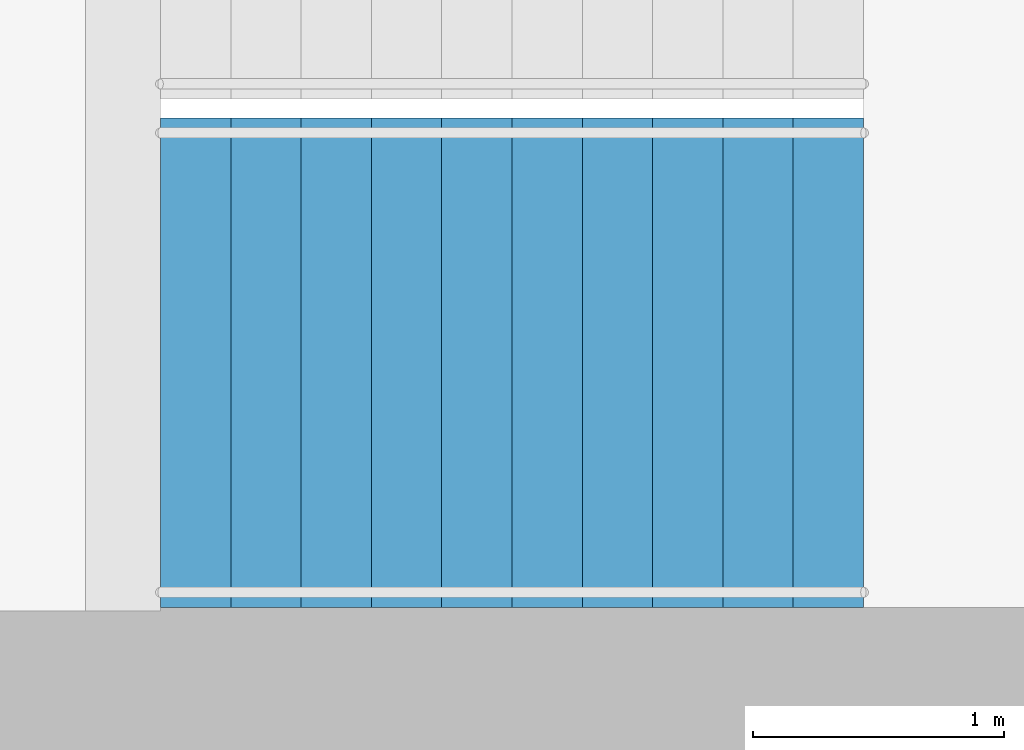
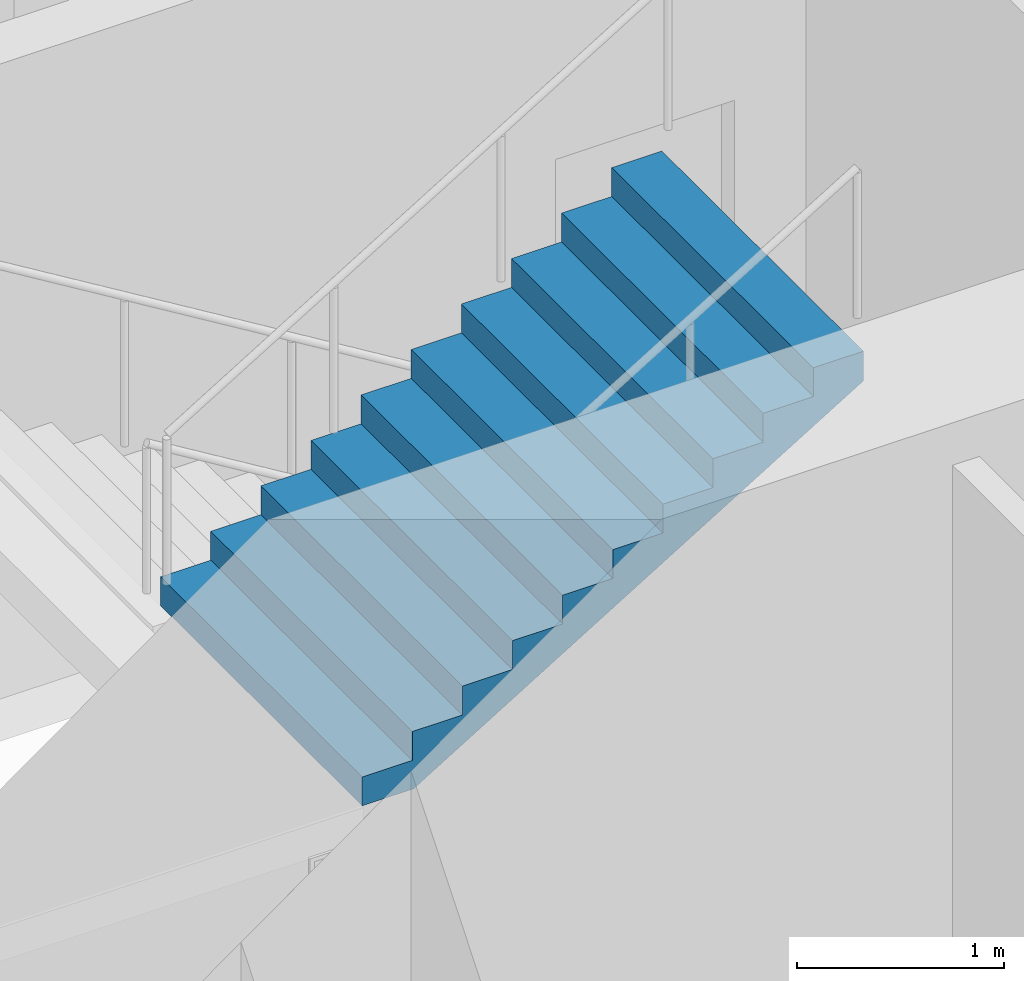
# One storey, part 19 of 21: 1 stair flight, 1 element without a shape of its own.
"""IFC4 building model written with IfcOpenShell, lengths in metres."""

from ifc_helpers import new_model, si_unit, direction, frame, origin, place, context, subcontext, project, spatial, triangles, material, type_object, element, aggregate, save


model = new_model("IFC4")

# Units and contexts
model_context = context("Model", 3, precision=1e-05, world=origin(), true_north=direction((0.0, 1.0)))
body_context = subcontext(model_context, "Body", "Model", "MODEL_VIEW")
ifc_project = project(units=[si_unit("LENGTHUNIT", "METRE"), si_unit("AREAUNIT", "SQUARE_METRE"), si_unit("VOLUMEUNIT", "CUBIC_METRE"), si_unit("PLANEANGLEUNIT", "RADIAN"), si_unit("MASSUNIT", "GRAM", prefix="KILO")], contexts=[model_context])

# Site, building, storey
site_placement = place(None, origin())
site = spatial("IfcSite", under=ifc_project, at=site_placement, CompositionType="ELEMENT")
building_placement = place(site_placement, origin())
building = spatial("IfcBuilding", under=site, at=building_placement, Name="Orbita Commons", CompositionType="ELEMENT")
storey_placement = place(building_placement, frame((0.0, 0.0, 88.14990234375)))
storey = spatial("IfcBuildingStorey", under=building, at=storey_placement, Name="L21", CompositionType="ELEMENT", Elevation=88.14990234375)

# Stair, stair flight
ifc_material_1 = material(Name="Precast concrete C40/50", Category="concrete")
stair_type = type_object("IfcStairType", Name="Exit stair S2 2 flights 11 risers 170", PredefinedType="HALF_TURN_STAIR", material=ifc_material_1)
stair_placement = place(storey_placement, origin())
stair = element("IfcStair", 1, at=stair_placement, inside=storey, type_object=stair_type, Name="Exit stair S2 L21", PredefinedType="HALF_TURN_STAIR")
ifc_material_2 = material(Name="Precast concrete C40/50", Category="concrete")
stair_flight_type = type_object("IfcStairFlightType", Name="Stair flight 11 risers 170 x 280", PredefinedType="STRAIGHT", material=ifc_material_2)
stair_flight_placement = place(storey_placement, frame((60.75, 27.25, 1.875), z_axis=(0.0, 0.0, 1.0), x_axis=(1.0, 0.0, 0.0)))
stair_flight = element("IfcStairFlight", 2, at=stair_flight_placement, type_object=stair_flight_type, Name="S2 flight 2", NumberOfRisers=11, NumberOfTreads=10, PredefinedType="STRAIGHT", RiserHeight=0.170454545, TreadLength=0.28, context=body_context, shape_type="Tessellation", body=[
    triangles([(0.0, 0.974976, 0.0), (0.0, 0.974976, 0.021307), (0.0, 0.81248, 0.021307), (0.0, 0.81248, 0.0), (0.0, 0.649984, 0.021307), (0.0, 0.649984, 0.0), (0.0, 0.487488, 0.021307), (0.0, 0.487488, 0.0), (0.0, 0.324992, 0.021307), (0.0, 0.324992, 0.0), (0.0, 0.162496, 0.021307), (0.0, 0.162496, 0.0), (0.0, 0.0, 0.021307), (0.0, 0.0, 0.0), (0.0, -0.162496, 0.021307), (0.0, -0.162496, 0.0), (0.0, -0.324992, 0.021307), (0.0, -0.324992, 0.0), (0.0, -0.487488, 0.021307), (0.0, -0.487488, 0.0), (0.0, -0.649984, 0.021307), (0.0, -0.649984, 0.0), (0.0, -0.81248, 0.021307), (0.0, -0.81248, 0.0), (0.0, -0.974976, 0.021307), (0.0, -0.974976, 0.0), (0.0, 0.974976, 0.042614), (0.0, 0.81248, 0.042614), (0.0, 0.649984, 0.042614), (0.0, 0.487488, 0.042614), (0.0, 0.324992, 0.042614), (0.0, 0.162496, 0.042614), (0.0, 0.0, 0.042614), (0.0, -0.162496, 0.042614), (0.0, -0.324992, 0.042614), (0.0, -0.487488, 0.042614), (0.0, -0.649984, 0.042614), (0.0, -0.81248, 0.042614), (0.0, -0.974976, 0.042614), (0.0, 0.974976, 0.06392), (0.0, 0.81248, 0.06392), (0.0, 0.649984, 0.06392), (0.0, 0.487488, 0.06392), (0.0, 0.324992, 0.06392), (0.0, 0.162496, 0.06392), (0.0, 0.0, 0.06392), (0.0, -0.162496, 0.06392), (0.0, -0.324992, 0.06392), (0.0, -0.487488, 0.06392), (0.0, -0.649984, 0.06392), (0.0, -0.81248, 0.06392), (0.0, -0.974976, 0.06392), (0.0, 0.974976, 0.085227), (0.0, 0.81248, 0.085227), (0.0, 0.649984, 0.085227), (0.0, 0.487488, 0.085227), (0.0, 0.324992, 0.085227), (0.0, 0.162496, 0.085227), (0.0, 0.0, 0.085227), (0.0, -0.162496, 0.085227), (0.0, -0.324992, 0.085227), (0.0, -0.487488, 0.085227), (0.0, -0.649984, 0.085227), (0.0, -0.81248, 0.085227), (0.0, -0.974976, 0.085227), (0.0, 0.974976, 0.106534), (0.0, 0.81248, 0.106534), (0.0, 0.649984, 0.106534), (0.0, 0.487488, 0.106534), (0.0, 0.324992, 0.106534), (0.0, 0.162496, 0.106534), (0.0, 0.0, 0.106534), (0.0, -0.162496, 0.106534), (0.0, -0.324992, 0.106534), (0.0, -0.487488, 0.106534), (0.0, -0.649984, 0.106534), (0.0, -0.81248, 0.106534), (0.0, -0.974976, 0.106534), (0.0, 0.974976, 0.127841), (0.0, 0.81248, 0.127841), (0.0, 0.649984, 0.127841), (0.0, 0.487488, 0.127841), (0.0, 0.324992, 0.127841), (0.0, 0.162496, 0.127841), (0.0, 0.0, 0.127841), (0.0, -0.162496, 0.127841), (0.0, -0.324992, 0.127841), (0.0, -0.487488, 0.127841), (0.0, -0.649984, 0.127841), (0.0, -0.81248, 0.127841), (0.0, -0.974976, 0.127841), (0.0, 0.974976, 0.149148), (0.0, 0.81248, 0.149148), (0.0, 0.649984, 0.149148), (0.0, 0.487488, 0.149148), (0.0, 0.324992, 0.149148), (0.0, 0.162496, 0.149148), (0.0, 0.0, 0.149148), (0.0, -0.162496, 0.149148), (0.0, -0.324992, 0.149148), (0.0, -0.487488, 0.149148), (0.0, -0.649984, 0.149148), (0.0, -0.81248, 0.149148), (0.0, -0.974976, 0.149148), (0.0, 0.974976, 0.170455), (0.0, 0.81248, 0.170455), (0.0, 0.649984, 0.170455), (0.0, 0.487488, 0.170455), (0.0, 0.324992, 0.170455), (0.0, 0.162496, 0.170455), (0.0, 0.0, 0.170455), (0.0, -0.162496, 0.170455), (0.0, -0.324992, 0.170455), (0.0, -0.487488, 0.170455), (0.0, -0.649984, 0.170455), (0.0, -0.81248, 0.170455), (0.0, -0.974976, 0.170455), (0.28, 0.974976, 0.170455), (0.28, 0.81248, 0.170455), (0.28, 0.649984, 0.170455), (0.28, 0.487488, 0.170455), (0.28, 0.324992, 0.170455), (0.28, 0.162496, 0.170455), (0.28, 0.0, 0.170455), (0.28, -0.162496, 0.170455), (0.28, -0.324992, 0.170455), (0.28, -0.487488, 0.170455), (0.28, -0.649984, 0.170455), (0.28, -0.81248, 0.170455), (0.28, -0.974976, 0.170455), (0.28, 0.974976, 0.340909), (0.28, 0.81248, 0.340909), (0.28, 0.649984, 0.340909), (0.28, 0.487488, 0.340909), (0.28, 0.324992, 0.340909), (0.28, 0.162496, 0.340909), (0.28, 0.0, 0.340909), (0.28, -0.162496, 0.340909), (0.28, -0.324992, 0.340909), (0.28, -0.487488, 0.340909), (0.28, -0.649984, 0.340909), (0.28, -0.81248, 0.340909), (0.28, -0.974976, 0.340909), (0.56, 0.974976, 0.340909), (0.56, 0.81248, 0.340909), (0.56, 0.649984, 0.340909), (0.56, 0.487488, 0.340909), (0.56, 0.324992, 0.340909), (0.56, 0.162496, 0.340909), (0.56, 0.0, 0.340909), (0.56, -0.162496, 0.340909), (0.56, -0.324992, 0.340909), (0.56, -0.487488, 0.340909), (0.56, -0.649984, 0.340909), (0.56, -0.81248, 0.340909), (0.56, -0.974976, 0.340909), (0.56, 0.974976, 0.511364), (0.56, 0.81248, 0.511364), (0.56, 0.649984, 0.511364), (0.56, 0.487488, 0.511364), (0.56, 0.324992, 0.511364), (0.56, 0.162496, 0.511364), (0.56, 0.0, 0.511364), (0.56, -0.162496, 0.511364), (0.56, -0.324992, 0.511364), (0.56, -0.487488, 0.511364), (0.56, -0.649984, 0.511364), (0.56, -0.81248, 0.511364), (0.56, -0.974976, 0.511364), (0.84, 0.974976, 0.511364), (0.84, 0.81248, 0.511364), (0.84, 0.649984, 0.511364), (0.84, 0.487488, 0.511364), (0.84, 0.324992, 0.511364), (0.84, 0.162496, 0.511364), (0.84, 0.0, 0.511364), (0.84, -0.162496, 0.511364), (0.84, -0.324992, 0.511364), (0.84, -0.487488, 0.511364), (0.84, -0.649984, 0.511364), (0.84, -0.81248, 0.511364), (0.84, -0.974976, 0.511364), (0.84, 0.974976, 0.681818), (0.84, 0.81248, 0.681818), (0.84, 0.649984, 0.681818), (0.84, 0.487488, 0.681818), (0.84, 0.324992, 0.681818), (0.84, 0.162496, 0.681818), (0.84, 0.0, 0.681818), (0.84, -0.162496, 0.681818), (0.84, -0.324992, 0.681818), (0.84, -0.487488, 0.681818), (0.84, -0.649984, 0.681818), (0.84, -0.81248, 0.681818), (0.84, -0.974976, 0.681818), (1.12, 0.974976, 0.681818), (1.12, 0.81248, 0.681818), (1.12, 0.649984, 0.681818), (1.12, 0.487488, 0.681818), (1.12, 0.324992, 0.681818), (1.12, 0.162496, 0.681818), (1.12, 0.0, 0.681818), (1.12, -0.162496, 0.681818), (1.12, -0.324992, 0.681818), (1.12, -0.487488, 0.681818), (1.12, -0.649984, 0.681818), (1.12, -0.81248, 0.681818), (1.12, -0.974976, 0.681818), (1.12, 0.974976, 0.852273), (1.12, 0.81248, 0.852273), (1.12, 0.649984, 0.852273), (1.12, 0.487488, 0.852273), (1.12, 0.324992, 0.852273), (1.12, 0.162496, 0.852273), (1.12, 0.0, 0.852273), (1.12, -0.162496, 0.852273), (1.12, -0.324992, 0.852273), (1.12, -0.487488, 0.852273), (1.12, -0.649984, 0.852273), (1.12, -0.81248, 0.852273), (1.12, -0.974976, 0.852273), (1.4, 0.974976, 0.852273), (1.4, 0.81248, 0.852273), (1.4, 0.649984, 0.852273), (1.4, 0.487488, 0.852273), (1.4, 0.324992, 0.852273), (1.4, 0.162496, 0.852273), (1.4, 0.0, 0.852273), (1.4, -0.162496, 0.852273), (1.4, -0.324992, 0.852273), (1.4, -0.487488, 0.852273), (1.4, -0.649984, 0.852273), (1.4, -0.81248, 0.852273), (1.4, -0.974976, 0.852273), (1.4, 0.974976, 1.022727), (1.4, 0.81248, 1.022727), (1.4, 0.649984, 1.022727), (1.4, 0.487488, 1.022727), (1.4, 0.324992, 1.022727), (1.4, 0.162496, 1.022727), (1.4, 0.0, 1.022727), (1.4, -0.162496, 1.022727), (1.4, -0.324992, 1.022727), (1.4, -0.487488, 1.022727), (1.4, -0.649984, 1.022727), (1.4, -0.81248, 1.022727), (1.4, -0.974976, 1.022727), (1.68, 0.974976, 1.022727), (1.68, 0.81248, 1.022727), (1.68, 0.649984, 1.022727), (1.68, 0.487488, 1.022727), (1.68, 0.324992, 1.022727), (1.68, 0.162496, 1.022727), (1.68, 0.0, 1.022727), (1.68, -0.162496, 1.022727), (1.68, -0.324992, 1.022727), (1.68, -0.487488, 1.022727), (1.68, -0.649984, 1.022727), (1.68, -0.81248, 1.022727), (1.68, -0.974976, 1.022727), (1.68, 0.974976, 1.193182), (1.68, 0.81248, 1.193182), (1.68, 0.649984, 1.193182), (1.68, 0.487488, 1.193182), (1.68, 0.324992, 1.193182), (1.68, 0.162496, 1.193182), (1.68, 0.0, 1.193182), (1.68, -0.162496, 1.193182), (1.68, -0.324992, 1.193182), (1.68, -0.487488, 1.193182), (1.68, -0.649984, 1.193182), (1.68, -0.81248, 1.193182), (1.68, -0.974976, 1.193182), (1.96, 0.974976, 1.193182), (1.96, 0.81248, 1.193182), (1.96, 0.649984, 1.193182), (1.96, 0.487488, 1.193182), (1.96, 0.324992, 1.193182), (1.96, 0.162496, 1.193182), (1.96, 0.0, 1.193182), (1.96, -0.162496, 1.193182), (1.96, -0.324992, 1.193182), (1.96, -0.487488, 1.193182), (1.96, -0.649984, 1.193182), (1.96, -0.81248, 1.193182), (1.96, -0.974976, 1.193182), (1.96, 0.974976, 1.363636), (1.96, 0.81248, 1.363636), (1.96, 0.649984, 1.363636), (1.96, 0.487488, 1.363636), (1.96, 0.324992, 1.363636), (1.96, 0.162496, 1.363636), (1.96, 0.0, 1.363636), (1.96, -0.162496, 1.363636), (1.96, -0.324992, 1.363636), (1.96, -0.487488, 1.363636), (1.96, -0.649984, 1.363636), (1.96, -0.81248, 1.363636), (1.96, -0.974976, 1.363636), (2.24, 0.974976, 1.363636), (2.24, 0.81248, 1.363636), (2.24, 0.649984, 1.363636), (2.24, 0.487488, 1.363636), (2.24, 0.324992, 1.363636), (2.24, 0.162496, 1.363636), (2.24, 0.0, 1.363636), (2.24, -0.162496, 1.363636), (2.24, -0.324992, 1.363636), (2.24, -0.487488, 1.363636), (2.24, -0.649984, 1.363636), (2.24, -0.81248, 1.363636), (2.24, -0.974976, 1.363636), (2.24, 0.974976, 1.534091), (2.24, 0.81248, 1.534091), (2.24, 0.649984, 1.534091), (2.24, 0.487488, 1.534091), (2.24, 0.324992, 1.534091), (2.24, 0.162496, 1.534091), (2.24, 0.0, 1.534091), (2.24, -0.162496, 1.534091), (2.24, -0.324992, 1.534091), (2.24, -0.487488, 1.534091), (2.24, -0.649984, 1.534091), (2.24, -0.81248, 1.534091), (2.24, -0.974976, 1.534091), (2.52, 0.974976, 1.534091), (2.52, 0.81248, 1.534091), (2.52, 0.649984, 1.534091), (2.52, 0.487488, 1.534091), (2.52, 0.324992, 1.534091), (2.52, 0.162496, 1.534091), (2.52, 0.0, 1.534091), (2.52, -0.162496, 1.534091), (2.52, -0.324992, 1.534091), (2.52, -0.487488, 1.534091), (2.52, -0.649984, 1.534091), (2.52, -0.81248, 1.534091), (2.52, -0.974976, 1.534091), (2.52, 0.974976, 1.704545), (2.52, 0.81248, 1.704545), (2.52, 0.649984, 1.704545), (2.52, 0.487488, 1.704545), (2.52, 0.324992, 1.704545), (2.52, 0.162496, 1.704545), (2.52, 0.0, 1.704545), (2.52, -0.162496, 1.704545), (2.52, -0.324992, 1.704545), (2.52, -0.487488, 1.704545), (2.52, -0.649984, 1.704545), (2.52, -0.81248, 1.704545), (2.52, -0.974976, 1.704545), (2.8, 0.974976, 1.704545), (2.8, 0.81248, 1.704545), (2.8, 0.649984, 1.704545), (2.8, 0.487488, 1.704545), (2.8, 0.324992, 1.704545), (2.8, 0.162496, 1.704545), (2.8, 0.0, 1.704545), (2.8, -0.162496, 1.704545), (2.8, -0.324992, 1.704545), (2.8, -0.487488, 1.704545), (2.8, -0.649984, 1.704545), (2.8, -0.81248, 1.704545), (2.8, -0.974976, 1.704545), (2.8, 0.974976, 1.682609), (2.8, 0.81248, 1.682609), (2.8, 0.649984, 1.682609), (2.8, 0.487488, 1.682609), (2.8, 0.324992, 1.682609), (2.8, 0.162496, 1.682609), (2.8, 0.0, 1.682609), (2.8, -0.162496, 1.682609), (2.8, -0.324992, 1.682609), (2.8, -0.487488, 1.682609), (2.8, -0.649984, 1.682609), (2.8, -0.81248, 1.682609), (2.8, -0.974976, 1.682609), (2.8, 0.974976, 1.660672), (2.8, 0.81248, 1.660672), (2.8, 0.649984, 1.660672), (2.8, 0.487488, 1.660672), (2.8, 0.324992, 1.660672), (2.8, 0.162496, 1.660672), (2.8, 0.0, 1.660672), (2.8, -0.162496, 1.660672), (2.8, -0.324992, 1.660672), (2.8, -0.487488, 1.660672), (2.8, -0.649984, 1.660672), (2.8, -0.81248, 1.660672), (2.8, -0.974976, 1.660672), (2.8, 0.974976, 1.638735), (2.8, 0.81248, 1.638735), (2.8, 0.649984, 1.638735), (2.8, 0.487488, 1.638735), (2.8, 0.324992, 1.638735), (2.8, 0.162496, 1.638735), (2.8, 0.0, 1.638735), (2.8, -0.162496, 1.638735), (2.8, -0.324992, 1.638735), (2.8, -0.487488, 1.638735), (2.8, -0.649984, 1.638735), (2.8, -0.81248, 1.638735), (2.8, -0.974976, 1.638735), (2.8, 0.974976, 1.616798), (2.8, 0.81248, 1.616798), (2.8, 0.649984, 1.616798), (2.8, 0.487488, 1.616798), (2.8, 0.324992, 1.616798), (2.8, 0.162496, 1.616798), (2.8, 0.0, 1.616798), (2.8, -0.162496, 1.616798), (2.8, -0.324992, 1.616798), (2.8, -0.487488, 1.616798), (2.8, -0.649984, 1.616798), (2.8, -0.81248, 1.616798), (2.8, -0.974976, 1.616798), (2.8, 0.974976, 1.594861), (2.8, 0.81248, 1.594861), (2.8, 0.649984, 1.594861), (2.8, 0.487488, 1.594861), (2.8, 0.324992, 1.594861), (2.8, 0.162496, 1.594861), (2.8, 0.0, 1.594861), (2.8, -0.162496, 1.594861), (2.8, -0.324992, 1.594861), (2.8, -0.487488, 1.594861), (2.8, -0.649984, 1.594861), (2.8, -0.81248, 1.594861), (2.8, -0.974976, 1.594861), (2.8, 0.974976, 1.572925), (2.8, 0.81248, 1.572925), (2.8, 0.649984, 1.572925), (2.8, 0.487488, 1.572925), (2.8, 0.324992, 1.572925), (2.8, 0.162496, 1.572925), (2.8, 0.0, 1.572925), (2.8, -0.162496, 1.572925), (2.8, -0.324992, 1.572925), (2.8, -0.487488, 1.572925), (2.8, -0.649984, 1.572925), (2.8, -0.81248, 1.572925), (2.8, -0.974976, 1.572925), (2.8, 0.974976, 1.550988), (2.8, 0.81248, 1.550988), (2.8, 0.649984, 1.550988), (2.8, 0.487488, 1.550988), (2.8, 0.324992, 1.550988), (2.8, 0.162496, 1.550988), (2.8, 0.0, 1.550988), (2.8, -0.162496, 1.550988), (2.8, -0.324992, 1.550988), (2.8, -0.487488, 1.550988), (2.8, -0.649984, 1.550988), (2.8, -0.81248, 1.550988), (2.8, -0.974976, 1.550988), (2.8, 0.974976, 1.529051), (2.8, 0.81248, 1.529051), (2.8, 0.649984, 1.529051), (2.8, 0.487488, 1.529051), (2.8, 0.324992, 1.529051), (2.8, 0.162496, 1.529051), (2.8, 0.0, 1.529051), (2.8, -0.162496, 1.529051), (2.8, -0.324992, 1.529051), (2.8, -0.487488, 1.529051), (2.8, -0.649984, 1.529051), (2.8, -0.81248, 1.529051), (2.8, -0.974976, 1.529051), (0.288279, 0.974976, 0.0), (0.288279, 0.81248, 0.0), (0.288279, 0.649984, 0.0), (0.288279, 0.487488, 0.0), (0.288279, 0.324992, 0.0), (0.288279, 0.162496, 0.0), (0.288279, 0.0, 0.0), (0.288279, -0.162496, 0.0), (0.288279, -0.324992, 0.0), (0.288279, -0.487488, 0.0), (0.288279, -0.649984, 0.0), (0.288279, -0.81248, 0.0), (0.288279, -0.974976, 0.0)], [[3, 2, 1], [4, 3, 1], [5, 3, 4], [6, 5, 4], [7, 5, 6], [8, 7, 6], [9, 7, 8], [10, 9, 8], [11, 9, 10], [12, 11, 10], [13, 11, 12], [14, 13, 12], [15, 13, 14], [16, 15, 14], [17, 15, 16], [18, 17, 16], [19, 17, 18], [20, 19, 18], [21, 19, 20], [22, 21, 20], [23, 21, 22], [24, 23, 22], [25, 23, 24], [26, 25, 24], [28, 27, 2], [3, 28, 2], [29, 28, 3], [5, 29, 3], [30, 29, 5], [7, 30, 5], [31, 30, 7], [9, 31, 7], [32, 31, 9], [11, 32, 9], [33, 32, 11], [13, 33, 11], [34, 33, 13], [15, 34, 13], [35, 34, 15], [17, 35, 15], [36, 35, 17], [19, 36, 17], [37, 36, 19], [21, 37, 19], [38, 37, 21], [23, 38, 21], [39, 38, 23], [25, 39, 23], [41, 40, 27], [28, 41, 27], [42, 41, 28], [29, 42, 28], [43, 42, 29], [30, 43, 29], [44, 43, 30], [31, 44, 30], [45, 44, 31], [32, 45, 31], [46, 45, 32], [33, 46, 32], [47, 46, 33], [34, 47, 33], [48, 47, 34], [35, 48, 34], [49, 48, 35], [36, 49, 35], [50, 49, 36], [37, 50, 36], [51, 50, 37], [38, 51, 37], [52, 51, 38], [39, 52, 38], [54, 53, 40], [41, 54, 40], [55, 54, 41], [42, 55, 41], [56, 55, 42], [43, 56, 42], [57, 56, 43], [44, 57, 43], [58, 57, 44], [45, 58, 44], [59, 58, 45], [46, 59, 45], [60, 59, 46], [47, 60, 46], [61, 60, 47], [48, 61, 47], [62, 61, 48], [49, 62, 48], [63, 62, 49], [50, 63, 49], [64, 63, 50], [51, 64, 50], [65, 64, 51], [52, 65, 51], [67, 66, 53], [54, 67, 53], [68, 67, 54], [55, 68, 54], [69, 68, 55], [56, 69, 55], [70, 69, 56], [57, 70, 56], [71, 70, 57], [58, 71, 57], [72, 71, 58], [59, 72, 58], [73, 72, 59], [60, 73, 59], [74, 73, 60], [61, 74, 60], [75, 74, 61], [62, 75, 61], [76, 75, 62], [63, 76, 62], [77, 76, 63], [64, 77, 63], [78, 77, 64], [65, 78, 64], [80, 79, 66], [67, 80, 66], [81, 80, 67], [68, 81, 67], [82, 81, 68], [69, 82, 68], [83, 82, 69], [70, 83, 69], [84, 83, 70], [71, 84, 70], [85, 84, 71], [72, 85, 71], [86, 85, 72], [73, 86, 72], [87, 86, 73], [74, 87, 73], [88, 87, 74], [75, 88, 74], [89, 88, 75], [76, 89, 75], [90, 89, 76], [77, 90, 76], [91, 90, 77], [78, 91, 77], [93, 92, 79], [80, 93, 79], [94, 93, 80], [81, 94, 80], [95, 94, 81], [82, 95, 81], [96, 95, 82], [83, 96, 82], [97, 96, 83], [84, 97, 83], [98, 97, 84], [85, 98, 84], [99, 98, 85], [86, 99, 85], [100, 99, 86], [87, 100, 86], [101, 100, 87], [88, 101, 87], [102, 101, 88], [89, 102, 88], [103, 102, 89], [90, 103, 89], [104, 103, 90], [91, 104, 90], [106, 105, 92], [93, 106, 92], [107, 106, 93], [94, 107, 93], [108, 107, 94], [95, 108, 94], [109, 108, 95], [96, 109, 95], [110, 109, 96], [97, 110, 96], [111, 110, 97], [98, 111, 97], [112, 111, 98], [99, 112, 98], [113, 112, 99], [100, 113, 99], [114, 113, 100], [101, 114, 100], [115, 114, 101], [102, 115, 101], [116, 115, 102], [103, 116, 102], [117, 116, 103], [104, 117, 103], [119, 118, 105], [106, 119, 105], [120, 119, 106], [107, 120, 106], [121, 120, 107], [108, 121, 107], [122, 121, 108], [109, 122, 108], [123, 122, 109], [110, 123, 109], [124, 123, 110], [111, 124, 110], [125, 124, 111], [112, 125, 111], [126, 125, 112], [113, 126, 112], [127, 126, 113], [114, 127, 113], [128, 127, 114], [115, 128, 114], [129, 128, 115], [116, 129, 115], [130, 129, 116], [117, 130, 116], [132, 131, 118], [119, 132, 118], [133, 132, 119], [120, 133, 119], [134, 133, 120], [121, 134, 120], [135, 134, 121], [122, 135, 121], [136, 135, 122], [123, 136, 122], [137, 136, 123], [124, 137, 123], [138, 137, 124], [125, 138, 124], [139, 138, 125], [126, 139, 125], [140, 139, 126], [127, 140, 126], [141, 140, 127], [128, 141, 127], [142, 141, 128], [129, 142, 128], [143, 142, 129], [130, 143, 129], [145, 144, 131], [132, 145, 131], [146, 145, 132], [133, 146, 132], [147, 146, 133], [134, 147, 133], [148, 147, 134], [135, 148, 134], [149, 148, 135], [136, 149, 135], [150, 149, 136], [137, 150, 136], [151, 150, 137], [138, 151, 137], [152, 151, 138], [139, 152, 138], [153, 152, 139], [140, 153, 139], [154, 153, 140], [141, 154, 140], [155, 154, 141], [142, 155, 141], [156, 155, 142], [143, 156, 142], [158, 157, 144], [145, 158, 144], [159, 158, 145], [146, 159, 145], [160, 159, 146], [147, 160, 146], [161, 160, 147], [148, 161, 147], [162, 161, 148], [149, 162, 148], [163, 162, 149], [150, 163, 149], [164, 163, 150], [151, 164, 150], [165, 164, 151], [152, 165, 151], [166, 165, 152], [153, 166, 152], [167, 166, 153], [154, 167, 153], [168, 167, 154], [155, 168, 154], [169, 168, 155], [156, 169, 155], [171, 170, 157], [158, 171, 157], [172, 171, 158], [159, 172, 158], [173, 172, 159], [160, 173, 159], [174, 173, 160], [161, 174, 160], [175, 174, 161], [162, 175, 161], [176, 175, 162], [163, 176, 162], [177, 176, 163], [164, 177, 163], [178, 177, 164], [165, 178, 164], [179, 178, 165], [166, 179, 165], [180, 179, 166], [167, 180, 166], [181, 180, 167], [168, 181, 167], [182, 181, 168], [169, 182, 168], [184, 183, 170], [171, 184, 170], [185, 184, 171], [172, 185, 171], [186, 185, 172], [173, 186, 172], [187, 186, 173], [174, 187, 173], [188, 187, 174], [175, 188, 174], [189, 188, 175], [176, 189, 175], [190, 189, 176], [177, 190, 176], [191, 190, 177], [178, 191, 177], [192, 191, 178], [179, 192, 178], [193, 192, 179], [180, 193, 179], [194, 193, 180], [181, 194, 180], [195, 194, 181], [182, 195, 181], [197, 196, 183], [184, 197, 183], [198, 197, 184], [185, 198, 184], [199, 198, 185], [186, 199, 185], [200, 199, 186], [187, 200, 186], [201, 200, 187], [188, 201, 187], [202, 201, 188], [189, 202, 188], [203, 202, 189], [190, 203, 189], [204, 203, 190], [191, 204, 190], [205, 204, 191], [192, 205, 191], [206, 205, 192], [193, 206, 192], [207, 206, 193], [194, 207, 193], [208, 207, 194], [195, 208, 194], [210, 209, 196], [197, 210, 196], [211, 210, 197], [198, 211, 197], [212, 211, 198], [199, 212, 198], [213, 212, 199], [200, 213, 199], [214, 213, 200], [201, 214, 200], [215, 214, 201], [202, 215, 201], [216, 215, 202], [203, 216, 202], [217, 216, 203], [204, 217, 203], [218, 217, 204], [205, 218, 204], [219, 218, 205], [206, 219, 205], [220, 219, 206], [207, 220, 206], [221, 220, 207], [208, 221, 207], [223, 222, 209], [210, 223, 209], [224, 223, 210], [211, 224, 210], [225, 224, 211], [212, 225, 211], [226, 225, 212], [213, 226, 212], [227, 226, 213], [214, 227, 213], [228, 227, 214], [215, 228, 214], [229, 228, 215], [216, 229, 215], [230, 229, 216], [217, 230, 216], [231, 230, 217], [218, 231, 217], [232, 231, 218], [219, 232, 218], [233, 232, 219], [220, 233, 219], [234, 233, 220], [221, 234, 220], [236, 235, 222], [223, 236, 222], [237, 236, 223], [224, 237, 223], [238, 237, 224], [225, 238, 224], [239, 238, 225], [226, 239, 225], [240, 239, 226], [227, 240, 226], [241, 240, 227], [228, 241, 227], [242, 241, 228], [229, 242, 228], [243, 242, 229], [230, 243, 229], [244, 243, 230], [231, 244, 230], [245, 244, 231], [232, 245, 231], [246, 245, 232], [233, 246, 232], [247, 246, 233], [234, 247, 233], [249, 248, 235], [236, 249, 235], [250, 249, 236], [237, 250, 236], [251, 250, 237], [238, 251, 237], [252, 251, 238], [239, 252, 238], [253, 252, 239], [240, 253, 239], [254, 253, 240], [241, 254, 240], [255, 254, 241], [242, 255, 241], [256, 255, 242], [243, 256, 242], [257, 256, 243], [244, 257, 243], [258, 257, 244], [245, 258, 244], [259, 258, 245], [246, 259, 245], [260, 259, 246], [247, 260, 246], [262, 261, 248], [249, 262, 248], [263, 262, 249], [250, 263, 249], [264, 263, 250], [251, 264, 250], [265, 264, 251], [252, 265, 251], [266, 265, 252], [253, 266, 252], [267, 266, 253], [254, 267, 253], [268, 267, 254], [255, 268, 254], [269, 268, 255], [256, 269, 255], [270, 269, 256], [257, 270, 256], [271, 270, 257], [258, 271, 257], [272, 271, 258], [259, 272, 258], [273, 272, 259], [260, 273, 259], [275, 274, 261], [262, 275, 261], [276, 275, 262], [263, 276, 262], [277, 276, 263], [264, 277, 263], [278, 277, 264], [265, 278, 264], [279, 278, 265], [266, 279, 265], [280, 279, 266], [267, 280, 266], [281, 280, 267], [268, 281, 267], [282, 281, 268], [269, 282, 268], [283, 282, 269], [270, 283, 269], [284, 283, 270], [271, 284, 270], [285, 284, 271], [272, 285, 271], [286, 285, 272], [273, 286, 272], [288, 287, 274], [275, 288, 274], [289, 288, 275], [276, 289, 275], [290, 289, 276], [277, 290, 276], [291, 290, 277], [278, 291, 277], [292, 291, 278], [279, 292, 278], [293, 292, 279], [280, 293, 279], [294, 293, 280], [281, 294, 280], [295, 294, 281], [282, 295, 281], [296, 295, 282], [283, 296, 282], [297, 296, 283], [284, 297, 283], [298, 297, 284], [285, 298, 284], [299, 298, 285], [286, 299, 285], [301, 300, 287], [288, 301, 287], [302, 301, 288], [289, 302, 288], [303, 302, 289], [290, 303, 289], [304, 303, 290], [291, 304, 290], [305, 304, 291], [292, 305, 291], [306, 305, 292], [293, 306, 292], [307, 306, 293], [294, 307, 293], [308, 307, 294], [295, 308, 294], [309, 308, 295], [296, 309, 295], [310, 309, 296], [297, 310, 296], [311, 310, 297], [298, 311, 297], [312, 311, 298], [299, 312, 298], [314, 313, 300], [301, 314, 300], [315, 314, 301], [302, 315, 301], [316, 315, 302], [303, 316, 302], [317, 316, 303], [304, 317, 303], [318, 317, 304], [305, 318, 304], [319, 318, 305], [306, 319, 305], [320, 319, 306], [307, 320, 306], [321, 320, 307], [308, 321, 307], [322, 321, 308], [309, 322, 308], [323, 322, 309], [310, 323, 309], [324, 323, 310], [311, 324, 310], [325, 324, 311], [312, 325, 311], [327, 326, 313], [314, 327, 313], [328, 327, 314], [315, 328, 314], [329, 328, 315], [316, 329, 315], [330, 329, 316], [317, 330, 316], [331, 330, 317], [318, 331, 317], [332, 331, 318], [319, 332, 318], [333, 332, 319], [320, 333, 319], [334, 333, 320], [321, 334, 320], [335, 334, 321], [322, 335, 321], [336, 335, 322], [323, 336, 322], [337, 336, 323], [324, 337, 323], [338, 337, 324], [325, 338, 324], [340, 339, 326], [327, 340, 326], [341, 340, 327], [328, 341, 327], [342, 341, 328], [329, 342, 328], [343, 342, 329], [330, 343, 329], [344, 343, 330], [331, 344, 330], [345, 344, 331], [332, 345, 331], [346, 345, 332], [333, 346, 332], [347, 346, 333], [334, 347, 333], [348, 347, 334], [335, 348, 334], [349, 348, 335], [336, 349, 335], [350, 349, 336], [337, 350, 336], [351, 350, 337], [338, 351, 337], [353, 352, 339], [340, 353, 339], [354, 353, 340], [341, 354, 340], [355, 354, 341], [342, 355, 341], [356, 355, 342], [343, 356, 342], [357, 356, 343], [344, 357, 343], [358, 357, 344], [345, 358, 344], [359, 358, 345], [346, 359, 345], [360, 359, 346], [347, 360, 346], [361, 360, 347], [348, 361, 347], [362, 361, 348], [349, 362, 348], [363, 362, 349], [350, 363, 349], [364, 363, 350], [351, 364, 350], [366, 365, 352], [353, 366, 352], [367, 366, 353], [354, 367, 353], [368, 367, 354], [355, 368, 354], [369, 368, 355], [356, 369, 355], [370, 369, 356], [357, 370, 356], [371, 370, 357], [358, 371, 357], [372, 371, 358], [359, 372, 358], [373, 372, 359], [360, 373, 359], [374, 373, 360], [361, 374, 360], [375, 374, 361], [362, 375, 361], [376, 375, 362], [363, 376, 362], [377, 376, 363], [364, 377, 363], [379, 378, 365], [366, 379, 365], [380, 379, 366], [367, 380, 366], [381, 380, 367], [368, 381, 367], [382, 381, 368], [369, 382, 368], [383, 382, 369], [370, 383, 369], [384, 383, 370], [371, 384, 370], [385, 384, 371], [372, 385, 371], [386, 385, 372], [373, 386, 372], [387, 386, 373], [374, 387, 373], [388, 387, 374], [375, 388, 374], [389, 388, 375], [376, 389, 375], [390, 389, 376], [377, 390, 376], [392, 391, 378], [379, 392, 378], [393, 392, 379], [380, 393, 379], [394, 393, 380], [381, 394, 380], [395, 394, 381], [382, 395, 381], [396, 395, 382], [383, 396, 382], [397, 396, 383], [384, 397, 383], [398, 397, 384], [385, 398, 384], [399, 398, 385], [386, 399, 385], [400, 399, 386], [387, 400, 386], [401, 400, 387], [388, 401, 387], [402, 401, 388], [389, 402, 388], [403, 402, 389], [390, 403, 389], [405, 404, 391], [392, 405, 391], [406, 405, 392], [393, 406, 392], [407, 406, 393], [394, 407, 393], [408, 407, 394], [395, 408, 394], [409, 408, 395], [396, 409, 395], [410, 409, 396], [397, 410, 396], [411, 410, 397], [398, 411, 397], [412, 411, 398], [399, 412, 398], [413, 412, 399], [400, 413, 399], [414, 413, 400], [401, 414, 400], [415, 414, 401], [402, 415, 401], [416, 415, 402], [403, 416, 402], [418, 417, 404], [405, 418, 404], [419, 418, 405], [406, 419, 405], [420, 419, 406], [407, 420, 406], [421, 420, 407], [408, 421, 407], [422, 421, 408], [409, 422, 408], [423, 422, 409], [410, 423, 409], [424, 423, 410], [411, 424, 410], [425, 424, 411], [412, 425, 411], [426, 425, 412], [413, 426, 412], [427, 426, 413], [414, 427, 413], [428, 427, 414], [415, 428, 414], [429, 428, 415], [416, 429, 415], [431, 430, 417], [418, 431, 417], [432, 431, 418], [419, 432, 418], [433, 432, 419], [420, 433, 419], [434, 433, 420], [421, 434, 420], [435, 434, 421], [422, 435, 421], [436, 435, 422], [423, 436, 422], [437, 436, 423], [424, 437, 423], [438, 437, 424], [425, 438, 424], [439, 438, 425], [426, 439, 425], [440, 439, 426], [427, 440, 426], [441, 440, 427], [428, 441, 427], [442, 441, 428], [429, 442, 428], [444, 443, 430], [431, 444, 430], [445, 444, 431], [432, 445, 431], [446, 445, 432], [433, 446, 432], [447, 446, 433], [434, 447, 433], [448, 447, 434], [435, 448, 434], [449, 448, 435], [436, 449, 435], [450, 449, 436], [437, 450, 436], [451, 450, 437], [438, 451, 437], [452, 451, 438], [439, 452, 438], [453, 452, 439], [440, 453, 439], [454, 453, 440], [441, 454, 440], [455, 454, 441], [442, 455, 441], [457, 456, 443], [444, 457, 443], [458, 457, 444], [445, 458, 444], [459, 458, 445], [446, 459, 445], [460, 459, 446], [447, 460, 446], [461, 460, 447], [448, 461, 447], [462, 461, 448], [449, 462, 448], [463, 462, 449], [450, 463, 449], [464, 463, 450], [451, 464, 450], [465, 464, 451], [452, 465, 451], [466, 465, 452], [453, 466, 452], [467, 466, 453], [454, 467, 453], [468, 467, 454], [455, 468, 454], [470, 469, 456], [457, 470, 456], [471, 470, 457], [458, 471, 457], [472, 471, 458], [459, 472, 458], [473, 472, 459], [460, 473, 459], [474, 473, 460], [461, 474, 460], [475, 474, 461], [462, 475, 461], [476, 475, 462], [463, 476, 462], [477, 476, 463], [464, 477, 463], [478, 477, 464], [465, 478, 464], [479, 478, 465], [466, 479, 465], [480, 479, 466], [467, 480, 466], [481, 480, 467], [468, 481, 467], [4, 1, 469], [470, 4, 469], [6, 4, 470], [471, 6, 470], [8, 6, 471], [472, 8, 471], [10, 8, 472], [473, 10, 472], [12, 10, 473], [474, 12, 473], [14, 12, 474], [475, 14, 474], [16, 14, 475], [476, 16, 475], [18, 16, 476], [477, 18, 476], [20, 18, 477], [478, 20, 477], [22, 20, 478], [479, 22, 478], [24, 22, 479], [480, 24, 479], [26, 24, 480], [481, 26, 480], [456, 469, 1], [26, 481, 468], [443, 456, 1], [26, 468, 455], [430, 443, 1], [26, 455, 442], [417, 430, 1], [26, 442, 429], [404, 417, 1], [26, 429, 416], [391, 404, 1], [26, 416, 403], [378, 391, 1], [26, 403, 390], [365, 378, 1], [26, 390, 377], [339, 352, 365], [377, 364, 351], [326, 339, 365], [377, 351, 338], [300, 313, 326], [338, 325, 312], [300, 326, 365], [377, 338, 312], [274, 287, 300], [312, 299, 286], [274, 300, 365], [377, 312, 286], [248, 261, 274], [286, 273, 260], [248, 274, 365], [377, 286, 260], [222, 235, 248], [260, 247, 234], [222, 248, 365], [377, 260, 234], [196, 209, 222], [234, 221, 208], [196, 222, 365], [377, 234, 208], [170, 183, 196], [208, 195, 182], [170, 196, 365], [377, 208, 182], [144, 157, 170], [182, 169, 156], [144, 170, 365], [377, 182, 156], [118, 131, 144], [156, 143, 130], [118, 144, 365], [377, 156, 130], [118, 365, 1], [26, 377, 130], [92, 105, 118], [130, 117, 104], [79, 92, 118], [130, 104, 91], [66, 79, 118], [130, 91, 78], [53, 66, 118], [130, 78, 65], [40, 53, 118], [130, 65, 52], [27, 40, 118], [130, 52, 39], [2, 27, 118], [130, 39, 25], [1, 2, 118], [130, 25, 26]], closed=True),
])
aggregate(stair, [stair_flight])

save(model, "model.ifc")
